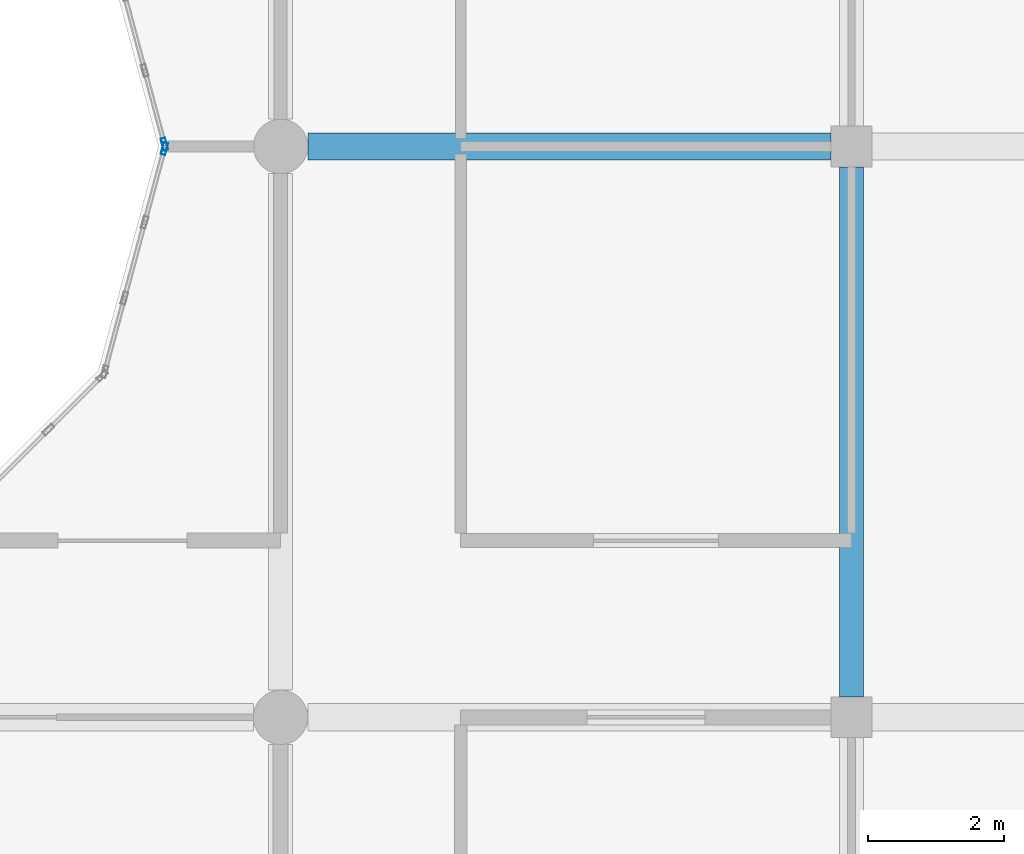
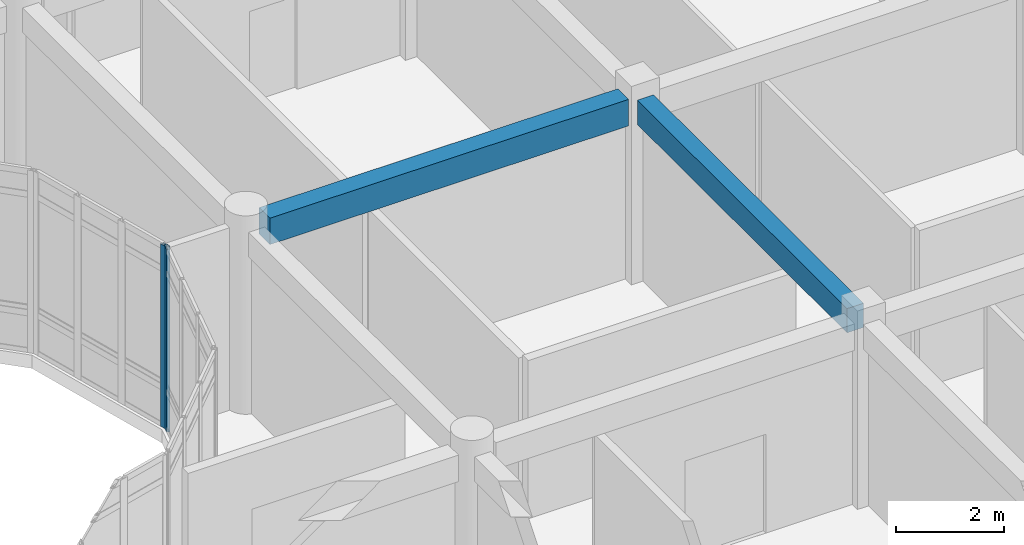
# One storey, part 39 of 144: 2 beams, 2 members, 2 elements without a shape of their own.
"""IFC4 building model written with IfcOpenShell, lengths in metres."""

from ifc_helpers import new_model, si_unit, direction, frame, origin, origin_2d, place, context, subcontext, project, spatial, rectangle, hollow_rectangle, extrude, material, layer, layer_set, material_profile, profile_set, type_object, element, aggregate, save


model = new_model("IFC4")

# Units and contexts
model_context = context("Model", 3, precision=1e-05, world=origin(), true_north=direction((0.0, 1.0)))
body_context = subcontext(model_context, "Body", "Model", "MODEL_VIEW")
ifc_project = project(units=[si_unit("LENGTHUNIT", "METRE"), si_unit("AREAUNIT", "SQUARE_METRE"), si_unit("VOLUMEUNIT", "CUBIC_METRE"), si_unit("PLANEANGLEUNIT", "RADIAN"), si_unit("MASSUNIT", "GRAM", prefix="KILO")], contexts=[model_context])

# Site, building, storey
site_placement = place(None, origin())
site = spatial("IfcSite", under=ifc_project, at=site_placement, CompositionType="ELEMENT")
building_placement = place(site_placement, origin())
building = spatial("IfcBuilding", under=site, at=building_placement, Name="Bramfleet General Hospital", CompositionType="ELEMENT")
storey_placement = place(building_placement, frame((0.0, 0.0, 4.800048828125)))
storey = spatial("IfcBuildingStorey", under=building, at=storey_placement, Name="L01", CompositionType="ELEMENT", Elevation=4.800048828125)

# Beams
ifc_material_1 = material(Name="Concrete C35/45", Category="concrete")
ifc_material_profile_1 = material_profile(ifc_material_1, rectangle(XDim=0.35009765625, YDim=0.550048828125, at=origin_2d()), Name="RC BM 550x350")
ifc_profile_set_1 = profile_set([ifc_material_profile_1], Name="Concrete C35/45")
beam_type_1 = type_object("IfcBeamType", Name="BM-RC550", PredefinedType="BEAM", material=ifc_profile_set_1)
beam_1_placement = place(storey_placement, frame((42.0, 75.89990234375, 3.875), z_axis=(0.0, 1.0, 0.0), x_axis=(-1.0, 0.0, 0.0)))
element("IfcBeam", 1, at=beam_1_placement, inside=storey, type_object=beam_type_1, Name="L01 Grid Beam Y 05-09", PredefinedType="BEAM", context=body_context, shape_type="SweptSolid", body=[
    extrude(rectangle(XDim=0.35009765625, YDim=0.550048828125, at=origin_2d()), origin(), (0.0, 0.0, 1.0), 7.800048828125),
])
ifc_material_profile_2 = material_profile(ifc_material_1, rectangle(XDim=0.39990234375, YDim=0.60009765625, at=origin_2d()), Name="RC BM 600x400")
ifc_profile_set_2 = profile_set([ifc_material_profile_2], Name="Concrete C35/45")
beam_type_2 = type_object("IfcBeamType", Name="BM-RC600", PredefinedType="BEAM", material=ifc_profile_set_2)
beam_2_placement = place(storey_placement, frame((34.0, 84.0, 3.849853515625), z_axis=(1.0, 0.0, 0.0), x_axis=(0.0, 1.0, 0.0)))
element("IfcBeam", 2, at=beam_2_placement, inside=storey, type_object=beam_type_2, Name="L01 Grid Beam X 04-10", PredefinedType="BEAM", context=body_context, shape_type="SweptSolid", body=[
    extrude(rectangle(XDim=0.39990234375, YDim=0.60009765625, at=origin_2d()), origin(), (0.0, 0.0, 1.0), 7.699951171875),
])

# Curtain wall, member
ifc_material_2 = material(Name="Anodised aluminium and low-E triple glazing", Category="aluminium")
ifc_layer_1 = layer(ifc_material_2, 0.179931640625, Name="CWT-CW-14")
ifc_layer_set_1 = layer_set([ifc_layer_1], Name="Anodised aluminium and low-E triple glazing")
curtain_wall_type_1 = type_object("IfcCurtainWallType", Name="CWT-CW-14", PredefinedType="USERDEFINED", material=ifc_layer_set_1)
curtain_wall_1_placement = place(storey_placement, origin())
curtain_wall_1 = element("IfcCurtainWall", 3, at=curtain_wall_1_placement, inside=storey, type_object=curtain_wall_type_1, Name="L01 West Clinical Light Court Curtain Wall 6.1", ObjectType="Stick curtain wall", PredefinedType="USERDEFINED")
ifc_material_3 = material(Name="Anodised aluminium EN AW-6060", Category="aluminium")
ifc_material_profile_3 = material_profile(ifc_material_3, hollow_rectangle(XDim=0.070068359375, YDim=0.179931640625, WallThickness=0.00390625, at=origin_2d()), Name="ALU 180x70x4.0")
ifc_profile_set_3 = profile_set([ifc_material_profile_3], Name="Anodised aluminium EN AW-6060")
member_type = type_object("IfcMemberType", Name="CWM-ALU180", PredefinedType="MULLION", material=ifc_profile_set_3)
member_1_placement = place(storey_placement, frame((31.890869140625, 83.96630859375, 0.0), z_axis=(0.0, 0.0, 1.0), x_axis=(-0.965899136003, 0.25891863407, 0.0)))
member_1 = element("IfcMember", 4, at=member_1_placement, type_object=member_type, Name="CW-14 mullion 4", PredefinedType="MULLION", context=body_context, shape_type="SweptSolid", body=[
    extrude(hollow_rectangle(XDim=0.070068359375, YDim=0.179931640625, WallThickness=0.00390625, at=origin_2d()), origin(), (0.0, 0.0, 1.0), 4.139892578125),
])
aggregate(curtain_wall_1, [member_1])

ifc_layer_2 = layer(ifc_material_2, 0.179931640625, Name="CWT-CW-15")
ifc_layer_set_2 = layer_set([ifc_layer_2], Name="Anodised aluminium and low-E triple glazing")
curtain_wall_type_2 = type_object("IfcCurtainWallType", Name="CWT-CW-15", PredefinedType="USERDEFINED", material=ifc_layer_set_2)
curtain_wall_2_placement = place(storey_placement, origin())
curtain_wall_2 = element("IfcCurtainWall", 5, at=curtain_wall_2_placement, inside=storey, type_object=curtain_wall_type_2, Name="L01 West Clinical Light Court Curtain Wall 7.1", ObjectType="Stick curtain wall", PredefinedType="USERDEFINED")
member_2_placement = place(storey_placement, frame((31.890869140625, 84.03369140625, 0.0), z_axis=(0.0, 0.0, 1.0), x_axis=(-0.965899136003, -0.25891863407, 0.0)))
member_2 = element("IfcMember", 6, at=member_2_placement, type_object=member_type, Name="CW-15 mullion 1", PredefinedType="MULLION", context=body_context, shape_type="SweptSolid", body=[
    extrude(hollow_rectangle(XDim=0.070068359375, YDim=0.179931640625, WallThickness=0.00390625, at=origin_2d()), origin(), (0.0, 0.0, 1.0), 4.139892578125),
])
aggregate(curtain_wall_2, [member_2])

save(model, "model.ifc")
